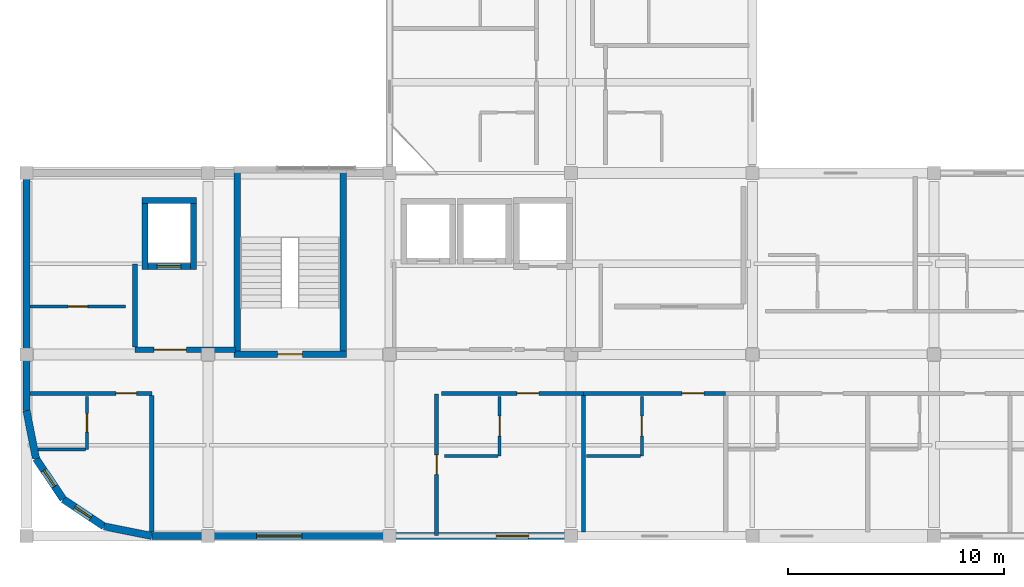
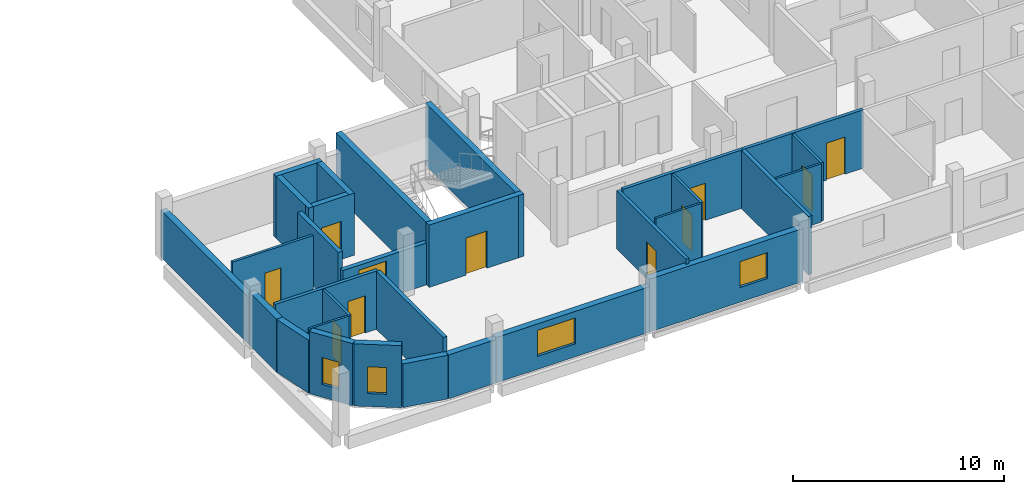
# One storey, part 11 of 25: 31 walls, 11 doors, 4 windows, 15 openings.
"""IFC4 building model written with IfcOpenShell, lengths in metres."""

from ifc_helpers import new_model, si_unit, derived_unit, direction, frame, frame_2d, origin, place, context, subcontext, project, spatial, rectangle, extrude, material, layer, layer_set, type_object, element, fill, save


model = new_model("IFC4")

# Units and contexts
model_context = context("Model", 3, precision=1e-05, world=origin(), true_north=direction((0.0, 1.0)))
body_context = subcontext(model_context, "Body", "Model", "MODEL_VIEW")
ifc_project = project(units=[si_unit("LENGTHUNIT", "METRE"), si_unit("AREAUNIT", "SQUARE_METRE"), si_unit("VOLUMEUNIT", "CUBIC_METRE"), si_unit("PLANEANGLEUNIT", "RADIAN"), si_unit("MASSUNIT", "GRAM", prefix="KILO"), derived_unit("THERMALTRANSMITTANCEUNIT", [(si_unit("POWERUNIT", "WATT"), 1), (si_unit("LENGTHUNIT", "METRE"), -2), (si_unit("THERMODYNAMICTEMPERATUREUNIT", "KELVIN"), -1)])], contexts=[model_context])

# Site, building, storey
site_placement = place(None, origin())
site = spatial("IfcSite", under=ifc_project, at=site_placement, CompositionType="ELEMENT")
building_placement = place(site_placement, origin())
building = spatial("IfcBuilding", under=site, at=building_placement, Name="Barrovel Congress Hotel", CompositionType="ELEMENT")
storey_placement = place(building_placement, frame((0.0, 0.0, 25.5)))
storey = spatial("IfcBuildingStorey", under=building, at=storey_placement, Name="L06", CompositionType="ELEMENT", Elevation=25.5)

# Wall
ifc_material_1 = material(Name="Fired Clay Brick Masonry", Category="masonry")
ifc_layer_1 = layer(ifc_material_1, 0.340087890625)
ifc_layer_set_1 = layer_set([ifc_layer_1], Name="Fired Clay Brick Masonry")
wall_type_1 = type_object("IfcWallType", Name="EW-BRK340", PredefinedType="STANDARD", material=ifc_layer_set_1)
wall_1_placement = place(storey_placement, frame((16.800048828125, 10.0, 0.0), z_axis=(0.0, 0.0, 1.0), x_axis=(0.195057908159, -0.980791727363, 0.0)))
element("IfcWall", 1, at=wall_1_placement, inside=storey, type_object=wall_type_1, Name="EW:L06:PROW-1", PredefinedType="STANDARD", context=body_context, shape_type="SweptSolid", body=[
    extrude(rectangle(XDim=2.262939453125, YDim=0.340087890625, at=frame_2d((1.13134765625, 0.0))), origin(), (0.0, 0.0, 1.0), 3.070068359375),
])

# Wall, opening, window
wall_2_placement = place(storey_placement, frame((17.241455078125, 7.780517578125, 0.0), z_axis=(0.0, 0.0, 1.0), x_axis=(0.555546297918, -0.831485604728, 0.0)))
wall_2 = element("IfcWall", 2, at=wall_2_placement, inside=storey, type_object=wall_type_1, Name="EW:L06:PROW-2", PredefinedType="STANDARD", context=body_context, shape_type="SweptSolid", body=[
    extrude(rectangle(XDim=2.26318359375, YDim=0.340087890625, at=frame_2d((1.131591796875, 0.0))), origin(), (0.0, 0.0, 1.0), 3.60009765625),
])
opening_1_placement = place(wall_2_placement, frame((0.64990234375, 0.0, 0.75)))
opening_1 = element("IfcOpeningElement", 3, at=opening_1_placement, cuts=wall_2, Name="Opening WN-11", PredefinedType="OPENING", context=body_context, shape_type="SweptSolid", body=[
    extrude(rectangle(XDim=0.89990234375, YDim=1.550048828125, at=frame_2d((0.449951171875, 0.77490234375))), frame((0.0, 0.18017578125, 0.0), z_axis=(0.0, -1.0, 0.0), x_axis=(1.0, 0.0, 0.0)), (0.0, 0.0, 1.0), 0.360107421875),
])
ifc_material_2 = material(Name="Double Low-E Insulated Glazing", Category="glass")
window_type_1 = type_object("IfcWindowType", Name="WIN-WN-11", PartitioningType="SINGLE_PANEL", PredefinedType="WINDOW", material=ifc_material_2)
window_1_placement = place(opening_1_placement, origin())
window_1 = element("IfcWindow", 4, at=window_1_placement, inside=storey, type_object=window_type_1, Name="WIN:L06:PROW-2", OverallHeight=1.550048828125, OverallWidth=0.89990234375, PartitioningType="SINGLE_PANEL", PredefinedType="WINDOW", context=body_context, shape_type="SweptSolid", body=[
    extrude(rectangle(XDim=0.89990234375, YDim=1.550048828125, at=frame_2d((0.449951171875, 0.77490234375))), frame((0.0, 0.030029296875, 0.0), z_axis=(0.0, -1.0, 0.0), x_axis=(1.0, 0.0, 0.0)), (0.0, 0.0, 1.0), 0.06005859375),
])
fill(opening_1, window_1)

wall_3_placement = place(storey_placement, frame((18.498779296875, 5.898681640625, 0.0), z_axis=(0.0, 0.0, 1.0), x_axis=(0.831502143458, -0.555521543618, 0.0)))
wall_3 = element("IfcWall", 5, at=wall_3_placement, inside=storey, type_object=wall_type_1, Name="EW:L06:PROW-3", PredefinedType="STANDARD", context=body_context, shape_type="SweptSolid", body=[
    extrude(rectangle(XDim=2.262939453125, YDim=0.340087890625, at=frame_2d((1.13134765625, 0.0))), origin(), (0.0, 0.0, 1.0), 3.60009765625),
])
opening_2_placement = place(wall_3_placement, frame((0.64990234375, 0.0, 0.75)))
opening_2 = element("IfcOpeningElement", 6, at=opening_2_placement, cuts=wall_3, Name="Opening WN-11", PredefinedType="OPENING", context=body_context, shape_type="SweptSolid", body=[
    extrude(rectangle(XDim=0.89990234375, YDim=1.550048828125, at=frame_2d((0.449951171875, 0.77490234375))), frame((0.0, 0.18017578125, 0.0), z_axis=(0.0, -1.0, 0.0), x_axis=(1.0, 0.0, 0.0)), (0.0, 0.0, 1.0), 0.360107421875),
])
window_2_placement = place(opening_2_placement, origin())
window_2 = element("IfcWindow", 7, at=window_2_placement, inside=storey, type_object=window_type_1, Name="WIN:L06:PROW-3", OverallHeight=1.550048828125, OverallWidth=0.89990234375, PartitioningType="SINGLE_PANEL", PredefinedType="WINDOW", context=body_context, shape_type="SweptSolid", body=[
    extrude(rectangle(XDim=0.89990234375, YDim=1.550048828125, at=frame_2d((0.449951171875, 0.77490234375))), frame((0.0, 0.030029296875, 0.0), z_axis=(0.0, -1.0, 0.0), x_axis=(1.0, 0.0, 0.0)), (0.0, 0.0, 1.0), 0.06005859375),
])
fill(opening_2, window_2)

# Walls
wall_4_placement = place(storey_placement, frame((20.38037109375, 4.6416015625, 0.0), z_axis=(0.0, 0.0, 1.0), x_axis=(0.98077519094, -0.195141038321, 0.0)))
element("IfcWall", 8, at=wall_4_placement, inside=storey, type_object=wall_type_1, Name="EW:L06:PROW-4", PredefinedType="STANDARD", context=body_context, shape_type="SweptSolid", body=[
    extrude(rectangle(XDim=2.26318359375, YDim=0.340087890625, at=frame_2d((1.131591796875, 0.0))), origin(), (0.0, 0.0, 1.0), 2.530029296875),
])
wall_5_placement = place(storey_placement, frame((16.800048828125, 21.0, 0.0), z_axis=(0.0, 0.0, 1.0), x_axis=(0.0, -1.0, 0.0)))
element("IfcWall", 9, at=wall_5_placement, inside=storey, type_object=wall_type_1, Name="EW:L06:HS-SW", PredefinedType="STANDARD", context=body_context, shape_type="SweptSolid", body=[
    extrude(rectangle(XDim=8.39990234375, YDim=0.340087890625, at=frame_2d((4.199951171875, 0.0))), origin(), (0.0, 0.0, 1.0), 2.72998046875),
])
wall_6_placement = place(storey_placement, frame((22.60009765625, 4.199951171875, 0.0), z_axis=(0.0, 0.0, 1.0), x_axis=(1.0, 0.0, 0.0)))
element("IfcWall", 10, at=wall_6_placement, inside=storey, type_object=wall_type_1, Name="EW:L06:HS-S:P01", PredefinedType="STANDARD", context=body_context, shape_type="SweptSolid", body=[
    extrude(rectangle(XDim=2.599853515625, YDim=0.340087890625, at=frame_2d((1.2998046875, 0.0))), origin(), (0.0, 0.0, 1.0), 2.530029296875),
])

# Wall, opening, window
wall_7_placement = place(storey_placement, frame((25.199951171875, 4.199951171875, 0.0), z_axis=(0.0, 0.0, 1.0), x_axis=(1.0, 0.0, 0.0)))
wall_7 = element("IfcWall", 11, at=wall_7_placement, inside=storey, type_object=wall_type_1, Name="EW:L06:HS-S:P02", PredefinedType="STANDARD", context=body_context, shape_type="SweptSolid", body=[
    extrude(rectangle(XDim=8.400146484375, YDim=0.340087890625, at=frame_2d((4.2001953125, 0.0))), origin(), (0.0, 0.0, 1.0), 2.6298828125),
])
opening_3_placement = place(wall_7_placement, frame((2.25, 0.0, 0.75)))
opening_3 = element("IfcOpeningElement", 12, at=opening_3_placement, cuts=wall_7, Name="Opening WN-09", PredefinedType="OPENING", context=body_context, shape_type="SweptSolid", body=[
    extrude(rectangle(XDim=2.10009765625, YDim=1.5, at=frame_2d((1.050048828125, 0.75))), frame((0.0, 0.18017578125, 0.0), z_axis=(0.0, -1.0, 0.0), x_axis=(1.0, 0.0, 0.0)), (0.0, 0.0, 1.0), 0.360107421875),
])
window_type_2 = type_object("IfcWindowType", Name="WIN-WN-09", PartitioningType="SINGLE_PANEL", PredefinedType="WINDOW", material=ifc_material_2)
window_3_placement = place(opening_3_placement, origin())
window_3 = element("IfcWindow", 13, at=window_3_placement, inside=storey, type_object=window_type_2, Name="WIN:L06:SALON", OverallHeight=1.5, OverallWidth=2.10009765625, PartitioningType="SINGLE_PANEL", PredefinedType="WINDOW", context=body_context, shape_type="SweptSolid", body=[
    extrude(rectangle(XDim=2.10009765625, YDim=1.5, at=frame_2d((1.050048828125, 0.75))), frame((0.0, 0.030029296875, 0.0), z_axis=(0.0, -1.0, 0.0), x_axis=(1.0, 0.0, 0.0)), (0.0, 0.0, 1.0), 0.06005859375),
])
fill(opening_3, window_3)

wall_8_placement = place(storey_placement, frame((33.60009765625, 4.199951171875, 0.0), z_axis=(0.0, 0.0, 1.0), x_axis=(1.0, 0.0, 0.0)))
wall_8 = element("IfcWall", 14, at=wall_8_placement, inside=storey, type_object=wall_type_1, Name="EW:L06:HS-S:P03", PredefinedType="STANDARD", context=body_context, shape_type="SweptSolid", body=[
    extrude(rectangle(XDim=8.39990234375, YDim=0.340087890625, at=frame_2d((4.199951171875, 0.0))), origin(), (0.0, 0.0, 1.0), 3.070068359375),
])
opening_4_placement = place(wall_8_placement, frame((4.93994140625, 0.0, 0.85009765625)))
opening_4 = element("IfcOpeningElement", 15, at=opening_4_placement, cuts=wall_8, Name="Opening WN-07", PredefinedType="OPENING", context=body_context, shape_type="SweptSolid", body=[
    extrude(rectangle(XDim=1.5, YDim=1.5, at=frame_2d((0.75, 0.75))), frame((0.0, 0.18017578125, 0.0), z_axis=(0.0, -1.0, 0.0), x_axis=(1.0, 0.0, 0.0)), (0.0, 0.0, 1.0), 0.360107421875),
])
window_type_3 = type_object("IfcWindowType", Name="WIN-WN-07", PartitioningType="SINGLE_PANEL", PredefinedType="WINDOW", material=ifc_material_2)
window_4_placement = place(opening_4_placement, origin())
window_4 = element("IfcWindow", 16, at=window_4_placement, inside=storey, type_object=window_type_3, Name="WIN:L06:U02", OverallHeight=1.5, OverallWidth=1.5, PartitioningType="SINGLE_PANEL", PredefinedType="WINDOW", context=body_context, shape_type="SweptSolid", body=[
    extrude(rectangle(XDim=1.5, YDim=1.5, at=frame_2d((0.75, 0.75))), frame((0.0, 0.030029296875, 0.0), z_axis=(0.0, -1.0, 0.0), x_axis=(1.0, 0.0, 0.0)), (0.0, 0.0, 1.0), 0.06005859375),
])
fill(opening_4, window_4)

# Wall
wall_9_placement = place(storey_placement, frame((16.800048828125, 12.60009765625, 0.0), z_axis=(0.0, 0.0, 1.0), x_axis=(0.0, -1.0, 0.0)))
element("IfcWall", 17, at=wall_9_placement, inside=storey, type_object=wall_type_1, Name="EW:L06:HS-SW:P02", PredefinedType="STANDARD", context=body_context, shape_type="SweptSolid", body=[
    extrude(rectangle(XDim=2.60009765625, YDim=0.340087890625, at=frame_2d((1.300048828125, 0.0))), origin(), (0.0, 0.0, 1.0), 3.070068359375),
])

# Wall, opening, door
ifc_material_3 = material(Name="Gypsum Acoustic Stud", Category="gypsum")
ifc_layer_2 = layer(ifc_material_3, 0.179931640625)
ifc_layer_set_2 = layer_set([ifc_layer_2], Name="Gypsum Acoustic Stud")
wall_type_2 = type_object("IfcWallType", Name="PW-ACU-180", PredefinedType="PARTITIONING", material=ifc_layer_set_2)
wall_10_placement = place(storey_placement, frame((16.969970703125, 10.800048828125, 0.0), z_axis=(0.0, 0.0, 1.0), x_axis=(1.0, 0.0, 0.0)))
wall_10 = element("IfcWall", 18, at=wall_10_placement, inside=storey, type_object=wall_type_2, Name="PW:L06:U01:COR", PredefinedType="PARTITIONING", context=body_context, shape_type="SweptSolid", body=[
    extrude(rectangle(XDim=5.630126953125, YDim=0.179931640625, at=frame_2d((2.81494140625, 0.0))), origin(), (0.0, 0.0, 1.0), 3.375),
])
opening_5_placement = place(wall_10_placement, frame((3.965087890625, 0.0, 0.0)))
opening_5 = element("IfcOpeningElement", 19, at=opening_5_placement, cuts=wall_10, Name="Opening ID-HTL", PredefinedType="OPENING", context=body_context, shape_type="SweptSolid", body=[
    extrude(rectangle(XDim=0.9599609375, YDim=2.14990234375, at=frame_2d((0.47998046875, 1.074951171875))), frame((0.0, 0.10009765625, 0.0), z_axis=(0.0, -1.0, 0.0), x_axis=(1.0, 0.0, 0.0)), (0.0, 0.0, 1.0), 0.199951171875),
])
ifc_material_4 = material(Name="Solid Oak Acoustic Timber Door", Category="wood")
door_type_1 = type_object("IfcDoorType", Name="IDR-ID-HTL", OperationType="NOTDEFINED", PredefinedType="DOOR", material=ifc_material_4)
door_1_placement = place(opening_5_placement, origin())
door_1 = element("IfcDoor", 20, at=door_1_placement, inside=storey, type_object=door_type_1, Name="DR:L06:U01:ENT", OperationType="SINGLE_SWING_RIGHT", OverallHeight=2.14990234375, OverallWidth=0.9599609375, PredefinedType="DOOR", context=body_context, shape_type="SweptSolid", body=[
    extrude(rectangle(XDim=0.9599609375, YDim=2.14990234375, at=frame_2d((0.47998046875, 1.074951171875))), frame((0.0, 0.02490234375, 0.0), z_axis=(0.0, -1.0, 0.0), x_axis=(1.0, 0.0, 0.0)), (0.0, 0.0, 1.0), 0.050048828125),
])
fill(opening_5, door_1)

wall_11_placement = place(storey_placement, frame((36.0, 10.800048828125, 0.0), z_axis=(0.0, 0.0, 1.0), x_axis=(1.0, 0.0, 0.0)))
wall_11 = element("IfcWall", 21, at=wall_11_placement, inside=storey, type_object=wall_type_2, Name="PW:L06:U02:COR", PredefinedType="PARTITIONING", context=body_context, shape_type="SweptSolid", body=[
    extrude(rectangle(XDim=6.580078125, YDim=0.179931640625, at=frame_2d((3.2900390625, 0.0))), origin(), (0.0, 0.0, 1.0), 3.375),
])
opening_6_placement = place(wall_11_placement, frame((3.50048828125, 0.0, 0.0)))
opening_6 = element("IfcOpeningElement", 22, at=opening_6_placement, cuts=wall_11, Name="Opening ID-ACC", PredefinedType="OPENING", context=body_context, shape_type="SweptSolid", body=[
    extrude(rectangle(XDim=1.02001953125, YDim=2.14990234375, at=frame_2d((0.510009765625, 1.074951171875))), frame((0.0, 0.10009765625, 0.0), z_axis=(0.0, -1.0, 0.0), x_axis=(1.0, 0.0, 0.0)), (0.0, 0.0, 1.0), 0.199951171875),
])
door_type_2 = type_object("IfcDoorType", Name="IDR-ID-ACC", OperationType="NOTDEFINED", PredefinedType="DOOR", material=ifc_material_4)
door_2_placement = place(opening_6_placement, origin())
door_2 = element("IfcDoor", 23, at=door_2_placement, inside=storey, type_object=door_type_2, Name="DR:L06:U02:ENT", OperationType="SINGLE_SWING_RIGHT", OverallHeight=2.14990234375, OverallWidth=1.02001953125, PredefinedType="DOOR", context=body_context, shape_type="SweptSolid", body=[
    extrude(rectangle(XDim=1.02001953125, YDim=2.14990234375, at=frame_2d((0.510009765625, 1.074951171875))), frame((0.0, 0.02490234375, 0.0), z_axis=(0.0, -1.0, 0.0), x_axis=(1.0, 0.0, 0.0)), (0.0, 0.0, 1.0), 0.050048828125),
])
fill(opening_6, door_2)

wall_12_placement = place(storey_placement, frame((42.580078125, 10.800048828125, 0.0), z_axis=(0.0, 0.0, 1.0), x_axis=(1.0, 0.0, 0.0)))
wall_12 = element("IfcWall", 24, at=wall_12_placement, inside=storey, type_object=wall_type_2, Name="PW:L06:U03:COR", PredefinedType="PARTITIONING", context=body_context, shape_type="SweptSolid", body=[
    extrude(rectangle(XDim=6.579833984375, YDim=0.179931640625, at=frame_2d((3.2900390625, 0.0))), origin(), (0.0, 0.0, 1.0), 3.375),
])
opening_7_placement = place(wall_12_placement, frame((4.550537109375, 0.0, 0.0)))
opening_7 = element("IfcOpeningElement", 25, at=opening_7_placement, cuts=wall_12, Name="Opening ID-ACC", PredefinedType="OPENING", context=body_context, shape_type="SweptSolid", body=[
    extrude(rectangle(XDim=1.02001953125, YDim=2.14990234375, at=frame_2d((0.510009765625, 1.074951171875))), frame((0.0, 0.10009765625, 0.0), z_axis=(0.0, -1.0, 0.0), x_axis=(1.0, 0.0, 0.0)), (0.0, 0.0, 1.0), 0.199951171875),
])
door_3_placement = place(opening_7_placement, origin())
door_3 = element("IfcDoor", 26, at=door_3_placement, inside=storey, type_object=door_type_2, Name="DR:L06:U03:ENT", OperationType="SINGLE_SWING_RIGHT", OverallHeight=2.14990234375, OverallWidth=1.02001953125, PredefinedType="DOOR", context=body_context, shape_type="SweptSolid", body=[
    extrude(rectangle(XDim=1.02001953125, YDim=2.14990234375, at=frame_2d((0.510009765625, 1.074951171875))), frame((0.0, 0.02490234375, 0.0), z_axis=(0.0, -1.0, 0.0), x_axis=(1.0, 0.0, 0.0)), (0.0, 0.0, 1.0), 0.050048828125),
])
fill(opening_7, door_3)

wall_13_placement = place(storey_placement, frame((35.780029296875, 4.219970703125, 0.0), z_axis=(0.0, 0.0, 1.0), x_axis=(0.0, 1.0, 0.0)))
wall_13 = element("IfcWall", 27, at=wall_13_placement, inside=storey, type_object=wall_type_2, Name="RW:SP:L06:SALON:ED", PredefinedType="PARTITIONING", context=body_context, shape_type="SweptSolid", body=[
    extrude(rectangle(XDim=6.56005859375, YDim=0.179931640625, at=frame_2d((3.280029296875, 0.0))), origin(), (0.0, 0.0, 1.0), 3.375),
])
opening_8_placement = place(wall_13_placement, frame((2.830078125, 0.0, 0.0)))
opening_8 = element("IfcOpeningElement", 28, at=opening_8_placement, cuts=wall_13, Name="Opening ID-WC1", PredefinedType="OPENING", context=body_context, shape_type="SweptSolid", body=[
    extrude(rectangle(XDim=0.89990234375, YDim=2.1201171875, at=frame_2d((0.449951171875, 1.06005859375))), frame((0.0, 0.10009765625, 0.0), z_axis=(0.0, -1.0, 0.0), x_axis=(1.0, 0.0, 0.0)), (0.0, 0.0, 1.0), 0.199951171875),
])
ifc_material_5 = material(Name="Lacquered Timber Moisture Door", Category="wood")
door_type_3 = type_object("IfcDoorType", Name="IDR-ID-WC1", OperationType="NOTDEFINED", PredefinedType="DOOR", material=ifc_material_5)
door_4_placement = place(opening_8_placement, origin())
door_4 = element("IfcDoor", 29, at=door_4_placement, inside=storey, type_object=door_type_3, Name="RD:SP:L06:SALON", OperationType="SINGLE_SWING_LEFT", OverallHeight=2.1201171875, OverallWidth=0.89990234375, PredefinedType="DOOR", context=body_context, shape_type="SweptSolid", body=[
    extrude(rectangle(XDim=0.89990234375, YDim=2.1201171875, at=frame_2d((0.449951171875, 1.06005859375))), frame((0.0, 0.02490234375, 0.0), z_axis=(0.0, -1.0, 0.0), x_axis=(1.0, 0.0, 0.0)), (0.0, 0.0, 1.0), 0.050048828125),
])
fill(opening_8, door_4)

# Walls
ifc_layer_3 = layer(ifc_material_3, 0.1201171875)
ifc_layer_set_3 = layer_set([ifc_layer_3], Name="Gypsum Acoustic Stud")
wall_type_3 = type_object("IfcWallType", Name="PW-INT-120", PredefinedType="PARTITIONING", material=ifc_layer_set_3)
wall_14_placement = place(storey_placement, frame((17.340087890625, 8.199951171875, 0.0), z_axis=(0.0, 0.0, 1.0), x_axis=(1.0, 0.0, 0.0)))
element("IfcWall", 30, at=wall_14_placement, inside=storey, type_object=wall_type_3, Name="PW:L06:U01:B2", PredefinedType="PARTITIONING", context=body_context, shape_type="SweptSolid", body=[
    extrude(rectangle(XDim=2.18994140625, YDim=0.1201171875, at=frame_2d((1.094970703125, 0.0))), origin(), (0.0, 0.0, 1.0), 3.375),
])
for number, where, z_axis, x_axis, name in (
    (31, (36.139892578125, 7.89990234375, 0.0), (0.0, 0.0, 1.0), (1.0, 0.0, 0.0), "PW:L06:U02:B2"),
    (32, (42.719970703125, 7.89990234375, 0.0), (0.0, 0.0, 1.0), (1.0, 0.0, 0.0), "PW:L06:U03:B2"),
):
    element("IfcWall", number, at=place(storey_placement, frame(where, z_axis=z_axis, x_axis=x_axis)), inside=storey, type_object=wall_type_3, Name=name, PredefinedType="PARTITIONING", context=body_context, shape_type="SweptSolid", body=[
        extrude(rectangle(XDim=2.489990234375, YDim=0.1201171875, at=frame_2d((1.2451171875, 0.0))), origin(), (0.0, 0.0, 1.0), 3.375),
    ])
ifc_layer_4 = layer(ifc_material_1, 0.199951171875)
ifc_layer_set_4 = layer_set([ifc_layer_4], Name="Fired Clay Brick Masonry")
wall_type_4 = type_object("IfcWallType", Name="PW-MAS-200", PredefinedType="PARTITIONING", material=ifc_layer_set_4)
for number, where, z_axis, x_axis, name in (
    (33, (22.60009765625, 4.3701171875, 0.0), (0.0, 0.0, 1.0), (0.0, 1.0, 0.0), "PW:L06:U01:DEM"),
    (34, (42.580078125, 4.3701171875, 0.0), (0.0, 0.0, 1.0), (0.0, 1.0, 0.0), "PW:L06:U02:DEM"),
):
    element("IfcWall", number, at=place(storey_placement, frame(where, z_axis=z_axis, x_axis=x_axis)), inside=storey, type_object=wall_type_4, Name=name, PredefinedType="PARTITIONING", context=body_context, shape_type="SweptSolid", body=[
        extrude(rectangle(XDim=6.33984375, YDim=0.199951171875, at=frame_2d((3.169921875, 0.0))), origin(), (0.0, 0.0, 1.0), 3.375),
    ])

# Wall, opening, door
ifc_layer_5 = layer(ifc_material_1, 0.239990234375)
ifc_layer_set_5 = layer_set([ifc_layer_5], Name="Fired Clay Brick Masonry")
wall_type_5 = type_object("IfcWallType", Name="PW-MAS-240", PredefinedType="PARTITIONING", material=ifc_layer_set_5)
wall_15_placement = place(storey_placement, frame((21.820068359375, 12.820068359375, 0.0), z_axis=(0.0, 0.0, 1.0), x_axis=(1.0, 0.0, 0.0)))
wall_15 = element("IfcWall", 35, at=wall_15_placement, inside=storey, type_object=wall_type_5, Name="RW:SP:L06:FFL-1:S", PredefinedType="PARTITIONING", context=body_context, shape_type="SweptSolid", body=[
    extrude(rectangle(XDim=4.659912109375, YDim=0.239990234375, at=frame_2d((2.330078125, 0.0))), origin(), (0.0, 0.0, 1.0), 2.429931640625),
])
opening_9_placement = place(wall_15_placement, frame((0.8798828125, 0.0, 0.0)))
opening_9 = element("IfcOpeningElement", 36, at=opening_9_placement, cuts=wall_15, Name="Opening ID-FFL", PredefinedType="OPENING", context=body_context, shape_type="SweptSolid", body=[
    extrude(rectangle(XDim=1.5, YDim=2.14990234375, at=frame_2d((0.75, 1.074951171875))), frame((0.0, 0.1298828125, 0.0), z_axis=(0.0, -1.0, 0.0), x_axis=(1.0, 0.0, 0.0)), (0.0, 0.0, 1.0), 0.260009765625),
])
ifc_material_6 = material(Name="Painted Hollow-Metal Steel Door", Category="steel")
door_type_4 = type_object("IfcDoorType", Name="IDR-ID-FFL", OperationType="NOTDEFINED", PredefinedType="DOOR", material=ifc_material_6)
door_5_placement = place(opening_9_placement, origin())
door_5 = element("IfcDoor", 37, at=door_5_placement, inside=storey, type_object=door_type_4, Name="RD:SP:L06:FFL-1", OperationType="DOUBLE_DOOR_SINGLE_SWING", OverallHeight=2.14990234375, OverallWidth=1.5, PredefinedType="DOOR", context=body_context, shape_type="SweptSolid", body=[
    extrude(rectangle(XDim=1.5, YDim=2.14990234375, at=frame_2d((0.75, 1.074951171875))), frame((0.0, 0.02490234375, 0.0), z_axis=(0.0, -1.0, 0.0), x_axis=(1.0, 0.0, 0.0)), (0.0, 0.0, 1.0), 0.050048828125),
])
fill(opening_9, door_5)

# Wall
wall_16_placement = place(storey_placement, frame((21.820068359375, 12.93994140625, 0.0), z_axis=(0.0, 0.0, 1.0), x_axis=(0.0, 1.0, 0.0)))
element("IfcWall", 38, at=wall_16_placement, inside=storey, type_object=wall_type_5, Name="RW:SP:L06:FFL-1:W", PredefinedType="PARTITIONING", context=body_context, shape_type="SweptSolid", body=[
    extrude(rectangle(XDim=3.840087890625, YDim=0.239990234375, at=frame_2d((1.919921875, 0.0))), origin(), (0.0, 0.0, 1.0), 3.375),
])

# Wall, opening, door
ifc_material_7 = material(Name="Gypsum Moisture Board", Category="gypsum")
ifc_layer_6 = layer(ifc_material_7, 0.139892578125)
ifc_layer_set_6 = layer_set([ifc_layer_6], Name="Gypsum Moisture Board")
wall_type_6 = type_object("IfcWallType", Name="PW-WET-140", PredefinedType="PARTITIONING", material=ifc_layer_set_6)
wall_17_placement = place(storey_placement, frame((19.60009765625, 8.199951171875, 0.0), z_axis=(0.0, 0.0, 1.0), x_axis=(0.0, 1.0, 0.0)))
wall_17 = element("IfcWall", 39, at=wall_17_placement, inside=storey, type_object=wall_type_6, Name="PW:L06:U01:B1", PredefinedType="PARTITIONING", context=body_context, shape_type="SweptSolid", body=[
    extrude(rectangle(XDim=2.4599609375, YDim=0.139892578125, at=frame_2d((1.22998046875, 0.0))), origin(), (0.0, 0.0, 1.0), 3.375),
])
opening_10_placement = place(wall_17_placement, frame((0.800048828125, 0.0, 0.0)))
opening_10 = element("IfcOpeningElement", 40, at=opening_10_placement, cuts=wall_17, Name="Opening ID-ENS", PredefinedType="OPENING", context=body_context, shape_type="SweptSolid", body=[
    extrude(rectangle(XDim=0.860107421875, YDim=2.10009765625, at=frame_2d((0.43017578125, 1.050048828125))), frame((0.0, 0.080078125, 0.0), z_axis=(0.0, -1.0, 0.0), x_axis=(1.0, 0.0, 0.0)), (0.0, 0.0, 1.0), 0.159912109375),
])
door_type_5 = type_object("IfcDoorType", Name="IDR-ID-ENS", OperationType="NOTDEFINED", PredefinedType="DOOR", material=ifc_material_5)
door_6_placement = place(opening_10_placement, origin())
door_6 = element("IfcDoor", 41, at=door_6_placement, inside=storey, type_object=door_type_5, Name="DR:L06:U01:ENS", OperationType="SINGLE_SWING_LEFT", OverallHeight=2.10009765625, OverallWidth=0.860107421875, PredefinedType="DOOR", context=body_context, shape_type="SweptSolid", body=[
    extrude(rectangle(XDim=0.860107421875, YDim=2.10009765625, at=frame_2d((0.43017578125, 1.050048828125))), frame((0.0, 0.02490234375, 0.0), z_axis=(0.0, -1.0, 0.0), x_axis=(1.0, 0.0, 0.0)), (0.0, 0.0, 1.0), 0.050048828125),
])
fill(opening_10, door_6)

wall_18_placement = place(storey_placement, frame((38.699951171875, 7.89990234375, 0.0), z_axis=(0.0, 0.0, 1.0), x_axis=(0.0, 1.0, 0.0)))
wall_18 = element("IfcWall", 42, at=wall_18_placement, inside=storey, type_object=wall_type_6, Name="PW:L06:U02:B1", PredefinedType="PARTITIONING", context=body_context, shape_type="SweptSolid", body=[
    extrude(rectangle(XDim=2.760009765625, YDim=0.139892578125, at=frame_2d((1.3798828125, 0.0))), origin(), (0.0, 0.0, 1.0), 3.375),
])
opening_11_placement = place(wall_18_placement, frame((0.919921875, 0.0, 0.0)))
opening_11 = element("IfcOpeningElement", 43, at=opening_11_placement, cuts=wall_18, Name="Opening ID-EA2", PredefinedType="OPENING", context=body_context, shape_type="SweptSolid", body=[
    extrude(rectangle(XDim=0.919921875, YDim=2.10009765625, at=frame_2d((0.4599609375, 1.050048828125))), frame((0.0, 0.080078125, 0.0), z_axis=(0.0, -1.0, 0.0), x_axis=(1.0, 0.0, 0.0)), (0.0, 0.0, 1.0), 0.159912109375),
])
door_type_6 = type_object("IfcDoorType", Name="IDR-ID-EA2", OperationType="NOTDEFINED", PredefinedType="DOOR", material=ifc_material_5)
door_7_placement = place(opening_11_placement, origin())
door_7 = element("IfcDoor", 44, at=door_7_placement, inside=storey, type_object=door_type_6, Name="DR:L06:U02:ENS", OperationType="SINGLE_SWING_LEFT", OverallHeight=2.10009765625, OverallWidth=0.919921875, PredefinedType="DOOR", context=body_context, shape_type="SweptSolid", body=[
    extrude(rectangle(XDim=0.919921875, YDim=2.10009765625, at=frame_2d((0.4599609375, 1.050048828125))), frame((0.0, 0.02490234375, 0.0), z_axis=(0.0, -1.0, 0.0), x_axis=(1.0, 0.0, 0.0)), (0.0, 0.0, 1.0), 0.050048828125),
])
fill(opening_11, door_7)

wall_19_placement = place(storey_placement, frame((45.280029296875, 7.89990234375, 0.0), z_axis=(0.0, 0.0, 1.0), x_axis=(0.0, 1.0, 0.0)))
wall_19 = element("IfcWall", 45, at=wall_19_placement, inside=storey, type_object=wall_type_6, Name="PW:L06:U03:B1", PredefinedType="PARTITIONING", context=body_context, shape_type="SweptSolid", body=[
    extrude(rectangle(XDim=2.760009765625, YDim=0.139892578125, at=frame_2d((1.3798828125, 0.0))), origin(), (0.0, 0.0, 1.0), 3.375),
])
opening_12_placement = place(wall_19_placement, frame((0.919921875, 0.0, 0.0)))
opening_12 = element("IfcOpeningElement", 46, at=opening_12_placement, cuts=wall_19, Name="Opening ID-EA2", PredefinedType="OPENING", context=body_context, shape_type="SweptSolid", body=[
    extrude(rectangle(XDim=0.919921875, YDim=2.10009765625, at=frame_2d((0.4599609375, 1.050048828125))), frame((0.0, 0.080078125, 0.0), z_axis=(0.0, -1.0, 0.0), x_axis=(1.0, 0.0, 0.0)), (0.0, 0.0, 1.0), 0.159912109375),
])
door_8_placement = place(opening_12_placement, origin())
door_8 = element("IfcDoor", 47, at=door_8_placement, inside=storey, type_object=door_type_6, Name="DR:L06:U03:ENS", OperationType="SINGLE_SWING_LEFT", OverallHeight=2.10009765625, OverallWidth=0.919921875, PredefinedType="DOOR", context=body_context, shape_type="SweptSolid", body=[
    extrude(rectangle(XDim=0.919921875, YDim=2.10009765625, at=frame_2d((0.4599609375, 1.050048828125))), frame((0.0, 0.02490234375, 0.0), z_axis=(0.0, -1.0, 0.0), x_axis=(1.0, 0.0, 0.0)), (0.0, 0.0, 1.0), 0.050048828125),
])
fill(opening_12, door_8)

wall_20_placement = place(storey_placement, frame((16.969970703125, 14.820068359375, 0.0), z_axis=(0.0, 0.0, 1.0), x_axis=(1.0, 0.0, 0.0)))
wall_20 = element("IfcWall", 48, at=wall_20_placement, inside=storey, type_object=wall_type_6, Name="RW:SP:L06:HKP:S", PredefinedType="PARTITIONING", context=body_context, shape_type="SweptSolid", body=[
    extrude(rectangle(XDim=4.409912109375, YDim=0.139892578125, at=frame_2d((2.205078125, 0.0))), origin(), (0.0, 0.0, 1.0), 3.375),
])
opening_13_placement = place(wall_20_placement, frame((1.7548828125, 0.0, 0.0)))
opening_13 = element("IfcOpeningElement", 49, at=opening_13_placement, cuts=wall_20, Name="Opening ID-WC1", PredefinedType="OPENING", context=body_context, shape_type="SweptSolid", body=[
    extrude(rectangle(XDim=0.89990234375, YDim=2.1201171875, at=frame_2d((0.449951171875, 1.06005859375))), frame((0.0, 0.080078125, 0.0), z_axis=(0.0, -1.0, 0.0), x_axis=(1.0, 0.0, 0.0)), (0.0, 0.0, 1.0), 0.159912109375),
])
door_9_placement = place(opening_13_placement, origin())
door_9 = element("IfcDoor", 50, at=door_9_placement, inside=storey, type_object=door_type_3, Name="RD:SP:L06:HKP", OperationType="SINGLE_SWING_RIGHT", OverallHeight=2.1201171875, OverallWidth=0.89990234375, PredefinedType="DOOR", context=body_context, shape_type="SweptSolid", body=[
    extrude(rectangle(XDim=0.89990234375, YDim=2.1201171875, at=frame_2d((0.449951171875, 1.06005859375))), frame((0.0, 0.02490234375, 0.0), z_axis=(0.0, -1.0, 0.0), x_axis=(1.0, 0.0, 0.0)), (0.0, 0.0, 1.0), 0.050048828125),
])
fill(opening_13, door_9)

ifc_material_8 = material(Name="Concrete C40", Category="concrete")
ifc_layer_7 = layer(ifc_material_8, 0.280029296875)
ifc_layer_set_7 = layer_set([ifc_layer_7], Name="Concrete C40")
wall_type_7 = type_object("IfcWallType", Name="SW-C40-280", PredefinedType="SHEAR", material=ifc_layer_set_7)
wall_21_placement = place(storey_placement, frame((22.139892578125, 16.679931640625, 0.0), z_axis=(0.0, 0.0, 1.0), x_axis=(1.0, 0.0, 0.0)))
wall_21 = element("IfcWall", 51, at=wall_21_placement, inside=storey, type_object=wall_type_7, Name="LSH:FL-1:L06:S", PredefinedType="SHEAR", context=body_context, shape_type="SweptSolid", body=[
    extrude(rectangle(XDim=2.52001953125, YDim=0.280029296875, at=frame_2d((1.260009765625, 0.0))), origin(), (0.0, 0.0, 1.0), 3.60009765625),
])
opening_14_placement = place(wall_21_placement, frame((0.7099609375, 0.0, 0.0)))
opening_14 = element("IfcOpeningElement", 52, at=opening_14_placement, cuts=wall_21, Name="Opening LD-FF", PredefinedType="OPENING", context=body_context, shape_type="SweptSolid", body=[
    extrude(rectangle(XDim=1.10009765625, YDim=2.199951171875, at=frame_2d((0.550048828125, 1.10009765625))), frame((0.0, 0.14990234375, 0.0), z_axis=(0.0, -1.0, 0.0), x_axis=(1.0, 0.0, 0.0)), (0.0, 0.0, 1.0), 0.300048828125),
])
ifc_material_9 = material(Name="Brushed Stainless Steel", Category="steel")
door_type_7 = type_object("IfcDoorType", Name="IDR-LD-FF", OperationType="NOTDEFINED", PredefinedType="DOOR", material=ifc_material_9)
door_10_placement = place(opening_14_placement, origin())
door_10 = element("IfcDoor", 53, at=door_10_placement, inside=storey, type_object=door_type_7, Name="Lift Landing Door LD-FL-1-L06", OperationType="SLIDING_TO_LEFT", OverallHeight=2.199951171875, OverallWidth=1.10009765625, PredefinedType="DOOR", context=body_context, shape_type="SweptSolid", body=[
    extrude(rectangle(XDim=1.10009765625, YDim=2.199951171875, at=frame_2d((0.550048828125, 1.10009765625))), frame((0.0, 0.02490234375, 0.0), z_axis=(0.0, -1.0, 0.0), x_axis=(1.0, 0.0, 0.0)), (0.0, 0.0, 1.0), 0.050048828125),
])
fill(opening_14, door_10)

# Walls
wall_22_placement = place(storey_placement, frame((24.52001953125, 16.5400390625, 0.0), z_axis=(0.0, 0.0, 1.0), x_axis=(0.0, 1.0, 0.0)))
element("IfcWall", 54, at=wall_22_placement, inside=storey, type_object=wall_type_7, Name="LSH:FL-1:L06:E", PredefinedType="SHEAR", context=body_context, shape_type="SweptSolid", body=[
    extrude(rectangle(XDim=3.320068359375, YDim=0.280029296875, at=frame_2d((1.66015625, 0.0))), origin(), (0.0, 0.0, 1.0), 3.60009765625),
])
wall_23_placement = place(storey_placement, frame((24.659912109375, 19.719970703125, 0.0), z_axis=(0.0, 0.0, 1.0), x_axis=(-1.0, 0.0, 0.0)))
element("IfcWall", 55, at=wall_23_placement, inside=storey, type_object=wall_type_7, Name="LSH:FL-1:L06:N", PredefinedType="SHEAR", context=body_context, shape_type="SweptSolid", body=[
    extrude(rectangle(XDim=2.52001953125, YDim=0.280029296875, at=frame_2d((1.260009765625, 0.0))), origin(), (0.0, 0.0, 1.0), 3.60009765625),
])
wall_24_placement = place(storey_placement, frame((22.280029296875, 19.860107421875, 0.0), z_axis=(0.0, 0.0, 1.0), x_axis=(0.0, -1.0, 0.0)))
element("IfcWall", 56, at=wall_24_placement, inside=storey, type_object=wall_type_7, Name="LSH:FL-1:L06:W", PredefinedType="SHEAR", context=body_context, shape_type="SweptSolid", body=[
    extrude(rectangle(XDim=3.320068359375, YDim=0.280029296875, at=frame_2d((1.66015625, 0.0))), origin(), (0.0, 0.0, 1.0), 3.60009765625),
])

# Wall, opening, door
ifc_layer_8 = layer(ifc_material_8, 0.300048828125)
ifc_layer_set_8 = layer_set([ifc_layer_8], Name="Concrete C40")
wall_type_8 = type_object("IfcWallType", Name="SW-C40-300", PredefinedType="SHEAR", material=ifc_layer_set_8)
wall_25_placement = place(storey_placement, frame((26.39990234375, 12.610107421875, 0.0), z_axis=(0.0, 0.0, 1.0), x_axis=(1.0, 0.0, 0.0)))
wall_25 = element("IfcWall", 57, at=wall_25_placement, inside=storey, type_object=wall_type_8, Name="SHW:XS-01:L06:S", PredefinedType="SHEAR", context=body_context, shape_type="SweptSolid", body=[
    extrude(rectangle(XDim=5.2001953125, YDim=0.300048828125, at=frame_2d((2.60009765625, 0.0))), origin(), (0.0, 0.0, 1.0), 3.60009765625),
])
opening_15_placement = place(wall_25_placement, frame((2.02490234375, 0.0, 0.0)))
opening_15 = element("IfcOpeningElement", 58, at=opening_15_placement, cuts=wall_25, Name="Opening ID-ST1", PredefinedType="OPENING", context=body_context, shape_type="SweptSolid", body=[
    extrude(rectangle(XDim=1.14990234375, YDim=2.14990234375, at=frame_2d((0.574951171875, 1.074951171875))), frame((0.0, 0.16015625, 0.0), z_axis=(0.0, -1.0, 0.0), x_axis=(1.0, 0.0, 0.0)), (0.0, 0.0, 1.0), 0.320068359375),
])
door_type_8 = type_object("IfcDoorType", Name="IDR-ID-ST1", OperationType="NOTDEFINED", PredefinedType="DOOR", material=ifc_material_6)
door_11_placement = place(opening_15_placement, origin())
door_11 = element("IfcDoor", 59, at=door_11_placement, inside=storey, type_object=door_type_8, Name="Stair Core Fire Door XS-01-L06", OperationType="SINGLE_SWING_RIGHT", OverallHeight=2.14990234375, OverallWidth=1.14990234375, PredefinedType="DOOR", context=body_context, shape_type="SweptSolid", body=[
    extrude(rectangle(XDim=1.14990234375, YDim=2.14990234375, at=frame_2d((0.574951171875, 1.074951171875))), frame((0.0, 0.02490234375, 0.0), z_axis=(0.0, -1.0, 0.0), x_axis=(1.0, 0.0, 0.0)), (0.0, 0.0, 1.0), 0.050048828125),
])
fill(opening_15, door_11)

# Walls
for number, where, z_axis, x_axis, name in (
    (60, (31.449951171875, 12.4599609375, 0.0), (0.0, 0.0, 1.0), (0.0, 1.0, 0.0), "SHW:XS-01:L06:E"),
    (61, (26.550048828125, 21.300048828125, 0.0), (0.0, 0.0, 1.0), (0.0, -1.0, 0.0), "SHW:XS-01:L06:W"),
):
    element("IfcWall", number, at=place(storey_placement, frame(where, z_axis=z_axis, x_axis=x_axis)), inside=storey, type_object=wall_type_8, Name=name, PredefinedType="SHEAR", context=body_context, shape_type="SweptSolid", body=[
        extrude(rectangle(XDim=8.840087890625, YDim=0.300048828125, at=frame_2d((4.419921875, 0.0))), origin(), (0.0, 0.0, 1.0), 3.60009765625),
    ])

save(model, "model.ifc")
